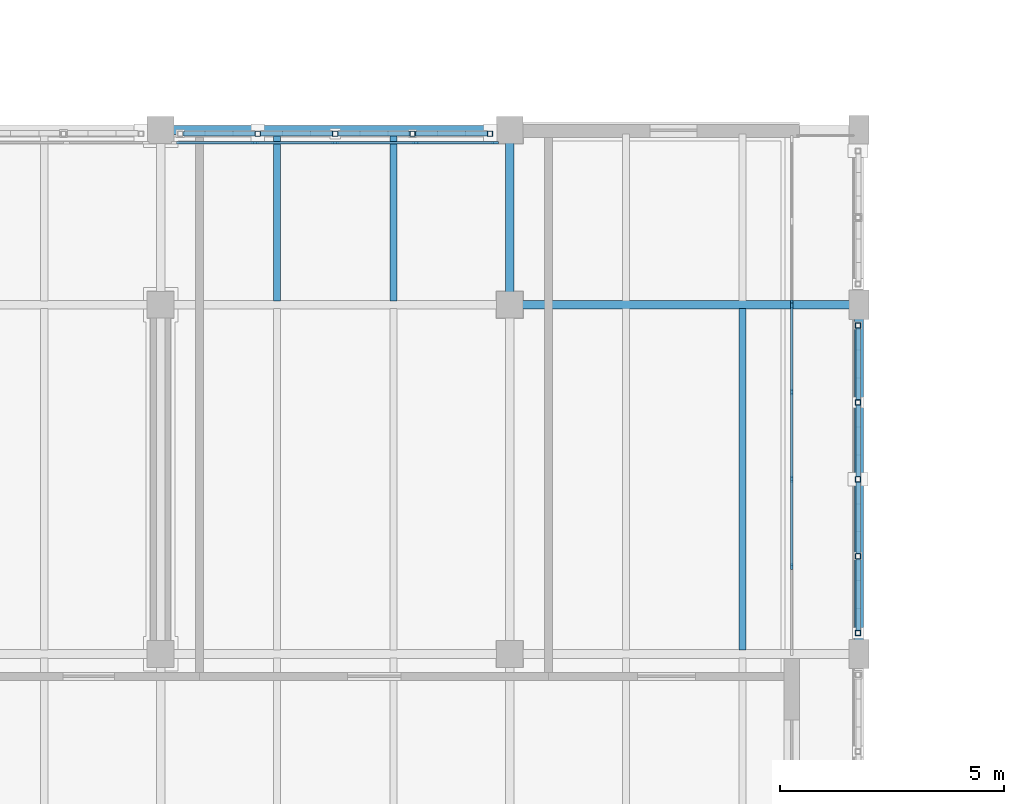
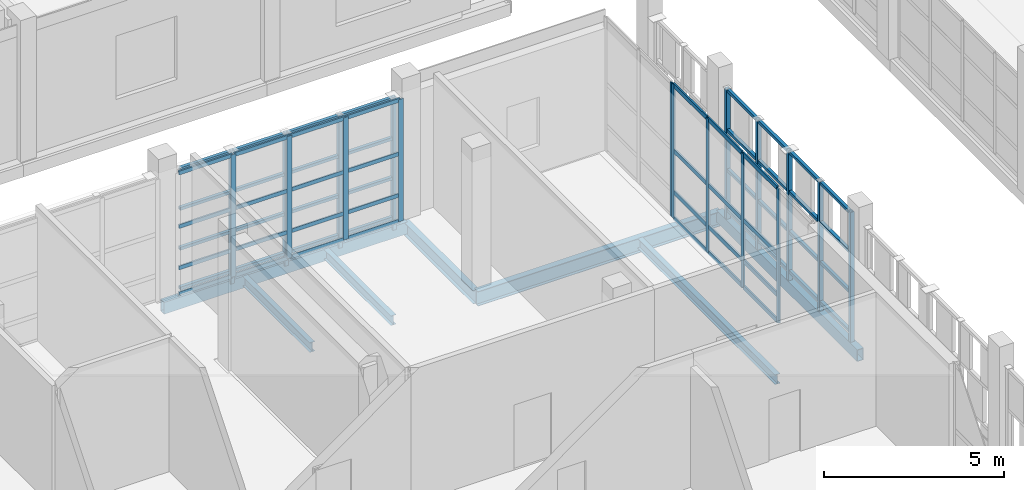
# One storey, part 27 of 138: 78 members, 7 beams, 3 elements without a shape of their own.
"""IFC4 building model written with IfcOpenShell, lengths in metres."""

from ifc_helpers import new_model, si_unit, direction, frame, origin, origin_2d, place, context, subcontext, project, spatial, rectangle, hollow_rectangle, i_section, extrude, material, layer, layer_set, material_profile, profile_set, type_object, element, aggregate, save


model = new_model("IFC4")

# Units and contexts
model_context = context("Model", 3, precision=1e-05, world=origin(), true_north=direction((0.0, 1.0)))
body_context = subcontext(model_context, "Body", "Model", "MODEL_VIEW")
ifc_project = project(units=[si_unit("LENGTHUNIT", "METRE"), si_unit("AREAUNIT", "SQUARE_METRE"), si_unit("VOLUMEUNIT", "CUBIC_METRE"), si_unit("PLANEANGLEUNIT", "RADIAN"), si_unit("MASSUNIT", "GRAM", prefix="KILO")], contexts=[model_context])

# Site, building, storey
site_placement = place(None, origin())
site = spatial("IfcSite", under=ifc_project, at=site_placement, CompositionType="ELEMENT")
building_placement = place(site_placement, origin())
building = spatial("IfcBuilding", under=site, at=building_placement, Name="Celorna Specialist Clinic", CompositionType="ELEMENT")
storey_placement = place(building_placement, frame((0.0, 0.0, 4.800048828125)))
storey = spatial("IfcBuildingStorey", under=building, at=storey_placement, Name="L01", CompositionType="ELEMENT", Elevation=4.800048828125)

# Beams
ifc_material_1 = material(Name="Steel S355", Category="steel")
ifc_material_profile_1 = material_profile(ifc_material_1, i_section(OverallWidth=0.199951171875, OverallDepth=0.5, WebThickness=0.01025390625, FlangeThickness=0.01611328125, at=origin_2d()), Name="IPE 500")
ifc_profile_set_1 = profile_set([ifc_material_profile_1], Name="Steel S355")
beam_type_1 = type_object("IfcBeamType", Name="BM-08", PredefinedType="BEAM", material=ifc_profile_set_1)
beam_1_placement = place(storey_placement, frame((39.0, 23.39990234375, -0.510009765625), z_axis=(1.0, 0.0, 0.0), x_axis=(0.0, 1.0, 0.0)))
element("IfcBeam", 1, at=beam_1_placement, inside=storey, type_object=beam_type_1, Name="Primary girder BM-08 #1611", PredefinedType="BEAM", context=body_context, shape_type="SweptSolid", body=[
    extrude(i_section(OverallWidth=0.199951171875, OverallDepth=0.5, WebThickness=0.01025390625, FlangeThickness=0.01611328125, at=origin_2d()), origin(), (0.0, 0.0, 1.0), 7.800048828125),
])
ifc_material_profile_2 = material_profile(ifc_material_1, i_section(OverallWidth=0.18994140625, OverallDepth=0.449951171875, WebThickness=0.009521484375, FlangeThickness=0.0146484375, at=origin_2d()), Name="IPE 450")
ifc_profile_set_2 = profile_set([ifc_material_profile_2], Name="Steel S355")
beam_type_2 = type_object("IfcBeamType", Name="BM-09", PredefinedType="BEAM", material=ifc_profile_set_2)
beam_2_placement = place(storey_placement, frame((39.0, 23.39990234375, -0.485107421875), z_axis=(0.0, 1.0, 0.0), x_axis=(-1.0, 0.0, 0.0)))
element("IfcBeam", 2, at=beam_2_placement, inside=storey, type_object=beam_type_2, Name="Transverse girder BM-09 #1647", PredefinedType="BEAM", context=body_context, shape_type="SweptSolid", body=[
    extrude(i_section(OverallWidth=0.18994140625, OverallDepth=0.449951171875, WebThickness=0.009521484375, FlangeThickness=0.0146484375, at=origin_2d()), origin(), (0.0, 0.0, 1.0), 3.900146484375),
])
ifc_material_profile_3 = material_profile(ifc_material_1, i_section(OverallWidth=0.159912109375, OverallDepth=0.330078125, WebThickness=0.007568359375, FlangeThickness=0.011474609375, at=origin_2d()), Name="IPE 330")
ifc_profile_set_3 = profile_set([ifc_material_profile_3], Name="Steel S355")
beam_type_3 = type_object("IfcBeamType", Name="BM-12", PredefinedType="JOIST", material=ifc_profile_set_3)
for number, where, z_axis, x_axis, name in (
    (3, (33.800048828125, 23.488037109375, -0.425048828125), (0.0, 1.0, 0.0), (-1.0, 0.0, 0.0), "Secondary floor joist BM-12 #1692"),
    (4, (36.39990234375, 23.488037109375, -0.425048828125), (0.0, 1.0, 0.0), (-1.0, 0.0, 0.0), "Secondary floor joist BM-12 #1693"),
):
    element("IfcBeam", number, at=place(storey_placement, frame(where, z_axis=z_axis, x_axis=x_axis)), inside=storey, type_object=beam_type_3, Name=name, PredefinedType="JOIST", context=body_context, shape_type="SweptSolid", body=[
        extrude(i_section(OverallWidth=0.159912109375, OverallDepth=0.330078125, WebThickness=0.007568359375, FlangeThickness=0.011474609375, at=origin_2d()), origin(), (0.0, 0.0, 1.0), 3.723876953125),
    ])
beam_3_placement = place(storey_placement, frame((44.199951171875, 15.68798828125, -0.425048828125), z_axis=(0.0, 1.0, 0.0), x_axis=(-1.0, 0.0, 0.0)))
element("IfcBeam", 5, at=beam_3_placement, inside=storey, type_object=beam_type_3, Name="Secondary floor joist BM-12 #1701", PredefinedType="JOIST", context=body_context, shape_type="SweptSolid", body=[
    extrude(i_section(OverallWidth=0.159912109375, OverallDepth=0.330078125, WebThickness=0.007568359375, FlangeThickness=0.011474609375, at=origin_2d()), origin(), (0.0, 0.0, 1.0), 7.6240234375),
])
ifc_material_profile_4 = material_profile(ifc_material_1, hollow_rectangle(XDim=0.199951171875, YDim=0.39990234375, WallThickness=0.011962890625, at=origin_2d()), Name="RHS 200x400x12")
ifc_profile_set_4 = profile_set([ifc_material_profile_4], Name="Steel S355")
beam_type_4 = type_object("IfcBeamType", Name="BM-15", PredefinedType="SPANDREL", material=ifc_profile_set_4)
beam_4_placement = place(storey_placement, frame((31.199951171875, 27.300048828125, -0.4599609375), z_axis=(1.0, 0.0, 0.0), x_axis=(0.0, 1.0, 0.0)))
element("IfcBeam", 6, at=beam_4_placement, inside=storey, type_object=beam_type_4, Name="Spandrel beam BM-15 #1616", PredefinedType="SPANDREL", context=body_context, shape_type="SweptSolid", body=[
    extrude(hollow_rectangle(XDim=0.199951171875, YDim=0.39990234375, WallThickness=0.011962890625, at=origin_2d()), origin(), (0.0, 0.0, 1.0), 7.800048828125),
])
beam_5_placement = place(storey_placement, frame((46.800048828125, 15.60009765625, -0.4599609375), z_axis=(0.0, 1.0, 0.0), x_axis=(-1.0, 0.0, 0.0)))
element("IfcBeam", 7, at=beam_5_placement, inside=storey, type_object=beam_type_4, Name="Spandrel beam BM-15 #1651", PredefinedType="SPANDREL", context=body_context, shape_type="SweptSolid", body=[
    extrude(hollow_rectangle(XDim=0.199951171875, YDim=0.39990234375, WallThickness=0.011962890625, at=origin_2d()), origin(), (0.0, 0.0, 1.0), 7.7998046875),
])

# Members
ifc_material_profile_5 = material_profile(ifc_material_1, hollow_rectangle(XDim=0.1201171875, YDim=0.1201171875, WallThickness=0.008056640625, at=origin_2d()), Name="SHS 120x120x8")
ifc_profile_set_5 = profile_set([ifc_material_profile_5], Name="Steel S355")
member_type_1 = type_object("IfcMemberType", Name="MB-11", PredefinedType="STUD", material=ifc_profile_set_5)
for number, where, z_axis, x_axis, name in (
    (8, (46.780029296875, 16.06494140625, -0.360107421875), (0.0, 0.0, 1.0), (1.0, 0.0, 0.0), "Perforated screen steel post #1640"),
    (9, (46.780029296875, 17.782470703125, -0.360107421875), (0.0, 0.0, 1.0), (1.0, 0.0, 0.0), "Perforated screen steel post #1641"),
    (10, (46.780029296875, 19.5, -0.360107421875), (0.0, 0.0, 1.0), (1.0, 0.0, 0.0), "Perforated screen steel post #1642"),
    (11, (46.780029296875, 21.217529296875, -0.360107421875), (0.0, 0.0, 1.0), (1.0, 0.0, 0.0), "Perforated screen steel post #1643"),
    (12, (46.780029296875, 22.93505859375, -0.360107421875), (0.0, 0.0, 1.0), (1.0, 0.0, 0.0), "Perforated screen steel post #1644"),
    (13, (33.3701171875, 27.219970703125, -0.360107421875), (0.0, 0.0, 1.0), (1.0, 0.0, 0.0), "Perforated screen steel post #1753"),
    (14, (35.10009765625, 27.219970703125, -0.360107421875), (0.0, 0.0, 1.0), (1.0, 0.0, 0.0), "Perforated screen steel post #1754"),
    (15, (36.830078125, 27.219970703125, -0.360107421875), (0.0, 0.0, 1.0), (1.0, 0.0, 0.0), "Perforated screen steel post #1755"),
    (16, (38.56005859375, 27.219970703125, -0.360107421875), (0.0, 0.0, 1.0), (1.0, 0.0, 0.0), "Perforated screen steel post #1756"),
):
    element("IfcMember", number, at=place(storey_placement, frame(where, z_axis=z_axis, x_axis=x_axis)), inside=storey, type_object=member_type_1, Name=name, PredefinedType="STUD", context=body_context, shape_type="SweptSolid", body=[
        extrude(hollow_rectangle(XDim=0.1201171875, YDim=0.1201171875, WallThickness=0.008056640625, at=origin_2d()), origin(), (0.0, 0.0, 1.0), 4.5),
    ])
ifc_material_profile_6 = material_profile(ifc_material_1, hollow_rectangle(XDim=0.10009765625, YDim=0.10009765625, WallThickness=0.006103515625, at=origin_2d()), Name="SHS 100x100x6")
ifc_profile_set_6 = profile_set([ifc_material_profile_6], Name="Steel S355")
member_type_2 = type_object("IfcMemberType", Name="MB-12", PredefinedType="STUD", material=ifc_profile_set_6)
for number, where, z_axis, x_axis, name in (
    (17, (46.780029296875, 16.125, 0.050048828125), (0.0, 1.0, 0.0), (-1.0, 0.0, 0.0), "Perforated screen rail #1645"),
    (18, (46.780029296875, 16.125, 1.396728515625), (0.0, 1.0, 0.0), (-1.0, 0.0, 0.0), "Perforated screen rail #1646"),
    (19, (46.780029296875, 16.125, 2.7431640625), (0.0, 1.0, 0.0), (-1.0, 0.0, 0.0), "Perforated screen rail #1647"),
    (20, (46.780029296875, 16.125, 4.08984375), (0.0, 1.0, 0.0), (-1.0, 0.0, 0.0), "Perforated screen rail #1648"),
    (21, (46.780029296875, 17.842529296875, 0.050048828125), (0.0, 1.0, 0.0), (-1.0, 0.0, 0.0), "Perforated screen rail #1649"),
    (22, (46.780029296875, 17.842529296875, 1.396728515625), (0.0, 1.0, 0.0), (-1.0, 0.0, 0.0), "Perforated screen rail #1650"),
    (23, (46.780029296875, 17.842529296875, 2.7431640625), (0.0, 1.0, 0.0), (-1.0, 0.0, 0.0), "Perforated screen rail #1651"),
    (24, (46.780029296875, 17.842529296875, 4.08984375), (0.0, 1.0, 0.0), (-1.0, 0.0, 0.0), "Perforated screen rail #1652"),
    (25, (46.780029296875, 19.56005859375, 0.050048828125), (0.0, 1.0, 0.0), (-1.0, 0.0, 0.0), "Perforated screen rail #1653"),
    (26, (46.780029296875, 19.56005859375, 1.396728515625), (0.0, 1.0, 0.0), (-1.0, 0.0, 0.0), "Perforated screen rail #1654"),
    (27, (46.780029296875, 19.56005859375, 2.7431640625), (0.0, 1.0, 0.0), (-1.0, 0.0, 0.0), "Perforated screen rail #1655"),
    (28, (46.780029296875, 19.56005859375, 4.08984375), (0.0, 1.0, 0.0), (-1.0, 0.0, 0.0), "Perforated screen rail #1656"),
    (29, (46.780029296875, 21.277587890625, 0.050048828125), (0.0, 1.0, 0.0), (-1.0, 0.0, 0.0), "Perforated screen rail #1657"),
    (30, (46.780029296875, 21.277587890625, 1.396728515625), (0.0, 1.0, 0.0), (-1.0, 0.0, 0.0), "Perforated screen rail #1658"),
    (31, (46.780029296875, 21.277587890625, 2.7431640625), (0.0, 1.0, 0.0), (-1.0, 0.0, 0.0), "Perforated screen rail #1659"),
    (32, (46.780029296875, 21.277587890625, 4.08984375), (0.0, 1.0, 0.0), (-1.0, 0.0, 0.0), "Perforated screen rail #1660"),
):
    element("IfcMember", number, at=place(storey_placement, frame(where, z_axis=z_axis, x_axis=x_axis)), inside=storey, type_object=member_type_2, Name=name, PredefinedType="STUD", context=body_context, shape_type="SweptSolid", body=[
        extrude(hollow_rectangle(XDim=0.10009765625, YDim=0.10009765625, WallThickness=0.006103515625, at=origin_2d()), origin(), (0.0, 0.0, 1.0), 1.597412109375),
    ])
for number, where, z_axis, x_axis, name in (
    (33, (31.699951171875, 27.219970703125, 0.050048828125), (1.0, 0.0, 0.0), (0.0, 1.0, 0.0), "Perforated screen rail #1757"),
    (34, (31.699951171875, 27.219970703125, 1.396728515625), (1.0, 0.0, 0.0), (0.0, 1.0, 0.0), "Perforated screen rail #1758"),
    (35, (31.699951171875, 27.219970703125, 2.7431640625), (1.0, 0.0, 0.0), (0.0, 1.0, 0.0), "Perforated screen rail #1759"),
    (36, (31.699951171875, 27.219970703125, 4.08984375), (1.0, 0.0, 0.0), (0.0, 1.0, 0.0), "Perforated screen rail #1760"),
    (37, (33.429931640625, 27.219970703125, 0.050048828125), (1.0, 0.0, 0.0), (0.0, 1.0, 0.0), "Perforated screen rail #1761"),
    (38, (33.429931640625, 27.219970703125, 1.396728515625), (1.0, 0.0, 0.0), (0.0, 1.0, 0.0), "Perforated screen rail #1762"),
    (39, (33.429931640625, 27.219970703125, 2.7431640625), (1.0, 0.0, 0.0), (0.0, 1.0, 0.0), "Perforated screen rail #1763"),
    (40, (33.429931640625, 27.219970703125, 4.08984375), (1.0, 0.0, 0.0), (0.0, 1.0, 0.0), "Perforated screen rail #1764"),
    (41, (35.159912109375, 27.219970703125, 0.050048828125), (1.0, 0.0, 0.0), (0.0, 1.0, 0.0), "Perforated screen rail #1765"),
    (42, (35.159912109375, 27.219970703125, 1.396728515625), (1.0, 0.0, 0.0), (0.0, 1.0, 0.0), "Perforated screen rail #1766"),
    (43, (35.159912109375, 27.219970703125, 2.7431640625), (1.0, 0.0, 0.0), (0.0, 1.0, 0.0), "Perforated screen rail #1767"),
    (44, (35.159912109375, 27.219970703125, 4.08984375), (1.0, 0.0, 0.0), (0.0, 1.0, 0.0), "Perforated screen rail #1768"),
    (45, (36.889892578125, 27.219970703125, 0.050048828125), (1.0, 0.0, 0.0), (0.0, 1.0, 0.0), "Perforated screen rail #1769"),
    (46, (36.889892578125, 27.219970703125, 1.396728515625), (1.0, 0.0, 0.0), (0.0, 1.0, 0.0), "Perforated screen rail #1770"),
    (47, (36.889892578125, 27.219970703125, 2.7431640625), (1.0, 0.0, 0.0), (0.0, 1.0, 0.0), "Perforated screen rail #1771"),
    (48, (36.889892578125, 27.219970703125, 4.08984375), (1.0, 0.0, 0.0), (0.0, 1.0, 0.0), "Perforated screen rail #1772"),
):
    element("IfcMember", number, at=place(storey_placement, frame(where, z_axis=z_axis, x_axis=x_axis)), inside=storey, type_object=member_type_2, Name=name, PredefinedType="STUD", context=body_context, shape_type="SweptSolid", body=[
        extrude(hollow_rectangle(XDim=0.10009765625, YDim=0.10009765625, WallThickness=0.006103515625, at=origin_2d()), origin(), (0.0, 0.0, 1.0), 1.610107421875),
    ])

# Curtain wall, members
ifc_material_2 = material(Name="Thermally broken aluminium and solar-control glass curtain wall", Category="aluminium")
ifc_layer_1 = layer(ifc_material_2, 0.159912109375, Name="Thermally broken aluminium and solar-control glass curtain wall")
ifc_layer_set_1 = layer_set([ifc_layer_1], Name="Thermally broken aluminium and solar-control glass curtain wall")
curtain_wall_type_1 = type_object("IfcCurtainWallType", Name="CW-16", PredefinedType="NOTDEFINED", material=ifc_layer_set_1)
curtain_wall_1_placement = place(storey_placement, origin())
curtain_wall_1 = element("IfcCurtainWall", 49, at=curtain_wall_1_placement, inside=storey, type_object=curtain_wall_type_1, Name="Curtain wall CW-16 #156", PredefinedType="NOTDEFINED")
ifc_material_3 = material(Name="Anodized aluminium mullion", Category="aluminium")
ifc_material_profile_7 = material_profile(ifc_material_3, rectangle(XDim=0.050048828125, YDim=0.159912109375, at=origin_2d()), Name="ALU MULLION 50x160")
ifc_profile_set_7 = profile_set([ifc_material_profile_7], Name="Anodized aluminium mullion")
member_type_3 = type_object("IfcMemberType", Name="ML-01", PredefinedType="MULLION", material=ifc_profile_set_7)
member_1_placement = place(storey_placement, frame((33.302001953125, 27.02001953125, 0.0), z_axis=(0.0, 0.0, 1.0), x_axis=(0.0, 1.0, 0.0)))
member_1 = element("IfcMember", 50, at=member_1_placement, type_object=member_type_3, Name="CW-16 mullion 2", PredefinedType="MULLION", context=body_context, shape_type="SweptSolid", body=[
    extrude(rectangle(XDim=0.050048828125, YDim=0.159912109375, at=origin_2d()), origin(), (0.0, 0.0, 1.0), 4.139892578125),
])
member_2_placement = place(storey_placement, frame((35.10009765625, 27.02001953125, 0.0), z_axis=(0.0, 0.0, 1.0), x_axis=(0.0, 1.0, 0.0)))
member_2 = element("IfcMember", 51, at=member_2_placement, type_object=member_type_3, Name="CW-16 mullion 3", PredefinedType="MULLION", context=body_context, shape_type="SweptSolid", body=[
    extrude(rectangle(XDim=0.050048828125, YDim=0.159912109375, at=origin_2d()), origin(), (0.0, 0.0, 1.0), 4.139892578125),
])
member_3_placement = place(storey_placement, frame((36.89794921875, 27.02001953125, 0.0), z_axis=(0.0, 0.0, 1.0), x_axis=(0.0, 1.0, 0.0)))
member_3 = element("IfcMember", 52, at=member_3_placement, type_object=member_type_3, Name="CW-16 mullion 4", PredefinedType="MULLION", context=body_context, shape_type="SweptSolid", body=[
    extrude(rectangle(XDim=0.050048828125, YDim=0.159912109375, at=origin_2d()), origin(), (0.0, 0.0, 1.0), 4.139892578125),
])
member_4_placement = place(storey_placement, frame((38.6708984375, 27.02001953125, 0.0), z_axis=(0.0, 0.0, 1.0), x_axis=(0.0, 1.0, 0.0)))
member_4 = element("IfcMember", 53, at=member_4_placement, type_object=member_type_3, Name="CW-16 mullion 5", PredefinedType="MULLION", context=body_context, shape_type="SweptSolid", body=[
    extrude(rectangle(XDim=0.050048828125, YDim=0.159912109375, at=origin_2d()), origin(), (0.0, 0.0, 1.0), 4.139892578125),
])

# Curtain wall, member
ifc_layer_2 = layer(ifc_material_2, 0.159912109375, Name="Thermally broken aluminium and solar-control glass curtain wall")
ifc_layer_set_2 = layer_set([ifc_layer_2], Name="Thermally broken aluminium and solar-control glass curtain wall")
curtain_wall_type_2 = type_object("IfcCurtainWallType", Name="CW-86", PredefinedType="NOTDEFINED", material=ifc_layer_set_2)
curtain_wall_2_placement = place(storey_placement, origin())
curtain_wall_2 = element("IfcCurtainWall", 54, at=curtain_wall_2_placement, inside=storey, type_object=curtain_wall_type_2, Name="Curtain wall CW-86 #160", PredefinedType="NOTDEFINED")
member_5_placement = place(storey_placement, frame((45.300048828125, 23.428955078125, 0.0), z_axis=(0.0, 0.0, 1.0), x_axis=(1.0, 0.0, 0.0)))
member_5 = element("IfcMember", 55, at=member_5_placement, type_object=member_type_3, Name="CW-86 mullion 3", PredefinedType="MULLION", context=body_context, shape_type="SweptSolid", body=[
    extrude(rectangle(XDim=0.050048828125, YDim=0.159912109375, at=origin_2d()), origin(), (0.0, 0.0, 1.0), 4.5400390625),
])
aggregate(curtain_wall_2, [member_5])

# Curtain wall, members
ifc_layer_3 = layer(ifc_material_2, 0.159912109375, Name="Thermally broken aluminium and solar-control glass curtain wall")
ifc_layer_set_3 = layer_set([ifc_layer_3], Name="Thermally broken aluminium and solar-control glass curtain wall")
curtain_wall_type_3 = type_object("IfcCurtainWallType", Name="CW-85", PredefinedType="NOTDEFINED", material=ifc_layer_set_3)
curtain_wall_3_placement = place(storey_placement, origin())
curtain_wall_3 = element("IfcCurtainWall", 56, at=curtain_wall_3_placement, inside=storey, type_object=curtain_wall_type_3, Name="Curtain wall CW-85 #159", PredefinedType="NOTDEFINED")
ifc_material_profile_8 = material_profile(ifc_material_3, rectangle(XDim=0.050048828125, YDim=0.139892578125, at=origin_2d()), Name="ALU MULLION 50x140")
ifc_profile_set_8 = profile_set([ifc_material_profile_8], Name="Anodized aluminium mullion")
member_type_4 = type_object("IfcMemberType", Name="ML-03", PredefinedType="MULLION", material=ifc_profile_set_8)
member_6_placement = place(storey_placement, frame((45.300048828125, 23.37109375, 0.0), z_axis=(0.0, 0.0, 1.0), x_axis=(1.0, 0.0, 0.0)))
member_6 = element("IfcMember", 57, at=member_6_placement, type_object=member_type_4, Name="CW-85 mullion 1", PredefinedType="MULLION", context=body_context, shape_type="SweptSolid", body=[
    extrude(rectangle(XDim=0.050048828125, YDim=0.139892578125, at=origin_2d()), origin(), (0.0, 0.0, 1.0), 4.5400390625),
])
member_7_placement = place(storey_placement, frame((45.300048828125, 21.447998046875, 0.0), z_axis=(0.0, 0.0, 1.0), x_axis=(1.0, 0.0, 0.0)))
member_7 = element("IfcMember", 58, at=member_7_placement, type_object=member_type_4, Name="CW-85 mullion 2", PredefinedType="MULLION", context=body_context, shape_type="SweptSolid", body=[
    extrude(rectangle(XDim=0.050048828125, YDim=0.139892578125, at=origin_2d()), origin(), (0.0, 0.0, 1.0), 4.5400390625),
])
member_8_placement = place(storey_placement, frame((45.300048828125, 19.5, 0.0), z_axis=(0.0, 0.0, 1.0), x_axis=(1.0, 0.0, 0.0)))
member_8 = element("IfcMember", 59, at=member_8_placement, type_object=member_type_4, Name="CW-85 mullion 3", PredefinedType="MULLION", context=body_context, shape_type="SweptSolid", body=[
    extrude(rectangle(XDim=0.050048828125, YDim=0.139892578125, at=origin_2d()), origin(), (0.0, 0.0, 1.0), 4.5400390625),
])
member_9_placement = place(storey_placement, frame((45.300048828125, 17.552001953125, 0.0), z_axis=(0.0, 0.0, 1.0), x_axis=(1.0, 0.0, 0.0)))
member_9 = element("IfcMember", 60, at=member_9_placement, type_object=member_type_4, Name="CW-85 mullion 4", PredefinedType="MULLION", context=body_context, shape_type="SweptSolid", body=[
    extrude(rectangle(XDim=0.050048828125, YDim=0.139892578125, at=origin_2d()), origin(), (0.0, 0.0, 1.0), 4.5400390625),
])

# Member
ifc_material_4 = material(Name="Anodized aluminium transom", Category="aluminium")
ifc_material_profile_9 = material_profile(ifc_material_4, rectangle(XDim=0.050048828125, YDim=0.1298828125, at=origin_2d()), Name="ALU TRANSOM 50x130")
ifc_profile_set_9 = profile_set([ifc_material_profile_9], Name="Anodized aluminium transom")
member_type_5 = type_object("IfcMemberType", Name="TR-01", PredefinedType="USERDEFINED", material=ifc_profile_set_9)
member_10_placement = place(storey_placement, frame((31.553955078125, 27.02001953125, 0.02490234375), z_axis=(1.0, 0.0, 0.0), x_axis=(0.0, 1.0, 0.0)))
member_10 = element("IfcMember", 61, at=member_10_placement, type_object=member_type_5, Name="CW-16 transom 1.1", ObjectType="TRANSOM", PredefinedType="USERDEFINED", context=body_context, shape_type="SweptSolid", body=[
    extrude(rectangle(XDim=0.050048828125, YDim=0.1298828125, at=origin_2d()), origin(), (0.0, 0.0, 1.0), 1.72314453125),
])

member_11_placement = place(storey_placement, frame((31.553955078125, 27.02001953125, 0.89990234375), z_axis=(1.0, 0.0, 0.0), x_axis=(0.0, 1.0, 0.0)))
member_11 = element("IfcMember", 62, at=member_11_placement, type_object=member_type_5, Name="CW-16 transom 1.2", ObjectType="TRANSOM", PredefinedType="USERDEFINED", context=body_context, shape_type="SweptSolid", body=[
    extrude(rectangle(XDim=0.050048828125, YDim=0.1298828125, at=origin_2d()), origin(), (0.0, 0.0, 1.0), 1.72314453125),
])

member_12_placement = place(storey_placement, frame((31.553955078125, 27.02001953125, 2.300048828125), z_axis=(1.0, 0.0, 0.0), x_axis=(0.0, 1.0, 0.0)))
member_12 = element("IfcMember", 63, at=member_12_placement, type_object=member_type_5, Name="CW-16 transom 1.3", ObjectType="TRANSOM", PredefinedType="USERDEFINED", context=body_context, shape_type="SweptSolid", body=[
    extrude(rectangle(XDim=0.050048828125, YDim=0.1298828125, at=origin_2d()), origin(), (0.0, 0.0, 1.0), 1.72314453125),
])

member_13_placement = place(storey_placement, frame((31.553955078125, 27.02001953125, 4.114990234375), z_axis=(1.0, 0.0, 0.0), x_axis=(0.0, 1.0, 0.0)))
member_13 = element("IfcMember", 64, at=member_13_placement, type_object=member_type_5, Name="CW-16 transom 1.4", ObjectType="TRANSOM", PredefinedType="USERDEFINED", context=body_context, shape_type="SweptSolid", body=[
    extrude(rectangle(XDim=0.050048828125, YDim=0.1298828125, at=origin_2d()), origin(), (0.0, 0.0, 1.0), 1.72314453125),
])

member_14_placement = place(storey_placement, frame((33.326904296875, 27.02001953125, 0.02490234375), z_axis=(1.0, 0.0, 0.0), x_axis=(0.0, 1.0, 0.0)))
member_14 = element("IfcMember", 65, at=member_14_placement, type_object=member_type_5, Name="CW-16 transom 2.1", ObjectType="TRANSOM", PredefinedType="USERDEFINED", context=body_context, shape_type="SweptSolid", body=[
    extrude(rectangle(XDim=0.050048828125, YDim=0.1298828125, at=origin_2d()), origin(), (0.0, 0.0, 1.0), 1.748046875),
])

member_15_placement = place(storey_placement, frame((33.326904296875, 27.02001953125, 0.89990234375), z_axis=(1.0, 0.0, 0.0), x_axis=(0.0, 1.0, 0.0)))
member_15 = element("IfcMember", 66, at=member_15_placement, type_object=member_type_5, Name="CW-16 transom 2.2", ObjectType="TRANSOM", PredefinedType="USERDEFINED", context=body_context, shape_type="SweptSolid", body=[
    extrude(rectangle(XDim=0.050048828125, YDim=0.1298828125, at=origin_2d()), origin(), (0.0, 0.0, 1.0), 1.748046875),
])

member_16_placement = place(storey_placement, frame((33.326904296875, 27.02001953125, 2.300048828125), z_axis=(1.0, 0.0, 0.0), x_axis=(0.0, 1.0, 0.0)))
member_16 = element("IfcMember", 67, at=member_16_placement, type_object=member_type_5, Name="CW-16 transom 2.3", ObjectType="TRANSOM", PredefinedType="USERDEFINED", context=body_context, shape_type="SweptSolid", body=[
    extrude(rectangle(XDim=0.050048828125, YDim=0.1298828125, at=origin_2d()), origin(), (0.0, 0.0, 1.0), 1.748046875),
])

member_17_placement = place(storey_placement, frame((33.326904296875, 27.02001953125, 4.114990234375), z_axis=(1.0, 0.0, 0.0), x_axis=(0.0, 1.0, 0.0)))
member_17 = element("IfcMember", 68, at=member_17_placement, type_object=member_type_5, Name="CW-16 transom 2.4", ObjectType="TRANSOM", PredefinedType="USERDEFINED", context=body_context, shape_type="SweptSolid", body=[
    extrude(rectangle(XDim=0.050048828125, YDim=0.1298828125, at=origin_2d()), origin(), (0.0, 0.0, 1.0), 1.748046875),
])

member_18_placement = place(storey_placement, frame((35.125, 27.02001953125, 0.02490234375), z_axis=(1.0, 0.0, 0.0), x_axis=(0.0, 1.0, 0.0)))
member_18 = element("IfcMember", 69, at=member_18_placement, type_object=member_type_5, Name="CW-16 transom 3.1", ObjectType="TRANSOM", PredefinedType="USERDEFINED", context=body_context, shape_type="SweptSolid", body=[
    extrude(rectangle(XDim=0.050048828125, YDim=0.1298828125, at=origin_2d()), origin(), (0.0, 0.0, 1.0), 1.748046875),
])

member_19_placement = place(storey_placement, frame((35.125, 27.02001953125, 0.89990234375), z_axis=(1.0, 0.0, 0.0), x_axis=(0.0, 1.0, 0.0)))
member_19 = element("IfcMember", 70, at=member_19_placement, type_object=member_type_5, Name="CW-16 transom 3.2", ObjectType="TRANSOM", PredefinedType="USERDEFINED", context=body_context, shape_type="SweptSolid", body=[
    extrude(rectangle(XDim=0.050048828125, YDim=0.1298828125, at=origin_2d()), origin(), (0.0, 0.0, 1.0), 1.748046875),
])

member_20_placement = place(storey_placement, frame((35.125, 27.02001953125, 2.300048828125), z_axis=(1.0, 0.0, 0.0), x_axis=(0.0, 1.0, 0.0)))
member_20 = element("IfcMember", 71, at=member_20_placement, type_object=member_type_5, Name="CW-16 transom 3.3", ObjectType="TRANSOM", PredefinedType="USERDEFINED", context=body_context, shape_type="SweptSolid", body=[
    extrude(rectangle(XDim=0.050048828125, YDim=0.1298828125, at=origin_2d()), origin(), (0.0, 0.0, 1.0), 1.748046875),
])

member_21_placement = place(storey_placement, frame((35.125, 27.02001953125, 4.114990234375), z_axis=(1.0, 0.0, 0.0), x_axis=(0.0, 1.0, 0.0)))
member_21 = element("IfcMember", 72, at=member_21_placement, type_object=member_type_5, Name="CW-16 transom 3.4", ObjectType="TRANSOM", PredefinedType="USERDEFINED", context=body_context, shape_type="SweptSolid", body=[
    extrude(rectangle(XDim=0.050048828125, YDim=0.1298828125, at=origin_2d()), origin(), (0.0, 0.0, 1.0), 1.748046875),
])

member_22_placement = place(storey_placement, frame((36.923095703125, 27.02001953125, 0.02490234375), z_axis=(1.0, 0.0, 0.0), x_axis=(0.0, 1.0, 0.0)))
member_22 = element("IfcMember", 73, at=member_22_placement, type_object=member_type_5, Name="CW-16 transom 4.1", ObjectType="TRANSOM", PredefinedType="USERDEFINED", context=body_context, shape_type="SweptSolid", body=[
    extrude(rectangle(XDim=0.050048828125, YDim=0.1298828125, at=origin_2d()), origin(), (0.0, 0.0, 1.0), 1.722900390625),
])

member_23_placement = place(storey_placement, frame((36.923095703125, 27.02001953125, 0.89990234375), z_axis=(1.0, 0.0, 0.0), x_axis=(0.0, 1.0, 0.0)))
member_23 = element("IfcMember", 74, at=member_23_placement, type_object=member_type_5, Name="CW-16 transom 4.2", ObjectType="TRANSOM", PredefinedType="USERDEFINED", context=body_context, shape_type="SweptSolid", body=[
    extrude(rectangle(XDim=0.050048828125, YDim=0.1298828125, at=origin_2d()), origin(), (0.0, 0.0, 1.0), 1.722900390625),
])

member_24_placement = place(storey_placement, frame((36.923095703125, 27.02001953125, 2.300048828125), z_axis=(1.0, 0.0, 0.0), x_axis=(0.0, 1.0, 0.0)))
member_24 = element("IfcMember", 75, at=member_24_placement, type_object=member_type_5, Name="CW-16 transom 4.3", ObjectType="TRANSOM", PredefinedType="USERDEFINED", context=body_context, shape_type="SweptSolid", body=[
    extrude(rectangle(XDim=0.050048828125, YDim=0.1298828125, at=origin_2d()), origin(), (0.0, 0.0, 1.0), 1.722900390625),
])

member_25_placement = place(storey_placement, frame((36.923095703125, 27.02001953125, 4.114990234375), z_axis=(1.0, 0.0, 0.0), x_axis=(0.0, 1.0, 0.0)))
member_25 = element("IfcMember", 76, at=member_25_placement, type_object=member_type_5, Name="CW-16 transom 4.4", ObjectType="TRANSOM", PredefinedType="USERDEFINED", context=body_context, shape_type="SweptSolid", body=[
    extrude(rectangle(XDim=0.050048828125, YDim=0.1298828125, at=origin_2d()), origin(), (0.0, 0.0, 1.0), 1.722900390625),
])

aggregate(curtain_wall_1, [member_1, member_2, member_3, member_4, member_10, member_11, member_12, member_13, member_14, member_15, member_16, member_17, member_18, member_19, member_20, member_21, member_22, member_23, member_24, member_25])

ifc_material_profile_10 = material_profile(ifc_material_4, rectangle(XDim=0.050048828125, YDim=0.14990234375, at=origin_2d()), Name="ALU TRANSOM 50x150")
ifc_profile_set_10 = profile_set([ifc_material_profile_10], Name="Anodized aluminium transom")
member_type_6 = type_object("IfcMemberType", Name="TR-02", PredefinedType="USERDEFINED", material=ifc_profile_set_10)
member_26_placement = place(storey_placement, frame((45.300048828125, 23.345947265625, 0.02490234375), z_axis=(0.0, -1.0, 0.0), x_axis=(1.0, 0.0, 0.0)))
member_26 = element("IfcMember", 77, at=member_26_placement, type_object=member_type_6, Name="CW-85 transom 1.1", ObjectType="TRANSOM", PredefinedType="USERDEFINED", context=body_context, shape_type="SweptSolid", body=[
    extrude(rectangle(XDim=0.050048828125, YDim=0.14990234375, at=origin_2d()), origin(), (0.0, 0.0, 1.0), 1.873046875),
])

member_27_placement = place(storey_placement, frame((45.300048828125, 23.345947265625, 0.89990234375), z_axis=(0.0, -1.0, 0.0), x_axis=(1.0, 0.0, 0.0)))
member_27 = element("IfcMember", 78, at=member_27_placement, type_object=member_type_6, Name="CW-85 transom 1.2", ObjectType="TRANSOM", PredefinedType="USERDEFINED", context=body_context, shape_type="SweptSolid", body=[
    extrude(rectangle(XDim=0.050048828125, YDim=0.14990234375, at=origin_2d()), origin(), (0.0, 0.0, 1.0), 1.873046875),
])

member_28_placement = place(storey_placement, frame((45.300048828125, 23.345947265625, 2.300048828125), z_axis=(0.0, -1.0, 0.0), x_axis=(1.0, 0.0, 0.0)))
member_28 = element("IfcMember", 79, at=member_28_placement, type_object=member_type_6, Name="CW-85 transom 1.3", ObjectType="TRANSOM", PredefinedType="USERDEFINED", context=body_context, shape_type="SweptSolid", body=[
    extrude(rectangle(XDim=0.050048828125, YDim=0.14990234375, at=origin_2d()), origin(), (0.0, 0.0, 1.0), 1.873046875),
])

member_29_placement = place(storey_placement, frame((45.300048828125, 23.345947265625, 4.514892578125), z_axis=(0.0, -1.0, 0.0), x_axis=(1.0, 0.0, 0.0)))
member_29 = element("IfcMember", 80, at=member_29_placement, type_object=member_type_6, Name="CW-85 transom 1.4", ObjectType="TRANSOM", PredefinedType="USERDEFINED", context=body_context, shape_type="SweptSolid", body=[
    extrude(rectangle(XDim=0.050048828125, YDim=0.14990234375, at=origin_2d()), origin(), (0.0, 0.0, 1.0), 1.873046875),
])

member_30_placement = place(storey_placement, frame((45.300048828125, 21.423095703125, 0.02490234375), z_axis=(0.0, -1.0, 0.0), x_axis=(1.0, 0.0, 0.0)))
member_30 = element("IfcMember", 81, at=member_30_placement, type_object=member_type_6, Name="CW-85 transom 2.1", ObjectType="TRANSOM", PredefinedType="USERDEFINED", context=body_context, shape_type="SweptSolid", body=[
    extrude(rectangle(XDim=0.050048828125, YDim=0.14990234375, at=origin_2d()), origin(), (0.0, 0.0, 1.0), 1.898193359375),
])

member_31_placement = place(storey_placement, frame((45.300048828125, 21.423095703125, 0.89990234375), z_axis=(0.0, -1.0, 0.0), x_axis=(1.0, 0.0, 0.0)))
member_31 = element("IfcMember", 82, at=member_31_placement, type_object=member_type_6, Name="CW-85 transom 2.2", ObjectType="TRANSOM", PredefinedType="USERDEFINED", context=body_context, shape_type="SweptSolid", body=[
    extrude(rectangle(XDim=0.050048828125, YDim=0.14990234375, at=origin_2d()), origin(), (0.0, 0.0, 1.0), 1.898193359375),
])

member_32_placement = place(storey_placement, frame((45.300048828125, 21.423095703125, 2.300048828125), z_axis=(0.0, -1.0, 0.0), x_axis=(1.0, 0.0, 0.0)))
member_32 = element("IfcMember", 83, at=member_32_placement, type_object=member_type_6, Name="CW-85 transom 2.3", ObjectType="TRANSOM", PredefinedType="USERDEFINED", context=body_context, shape_type="SweptSolid", body=[
    extrude(rectangle(XDim=0.050048828125, YDim=0.14990234375, at=origin_2d()), origin(), (0.0, 0.0, 1.0), 1.898193359375),
])

member_33_placement = place(storey_placement, frame((45.300048828125, 21.423095703125, 4.514892578125), z_axis=(0.0, -1.0, 0.0), x_axis=(1.0, 0.0, 0.0)))
member_33 = element("IfcMember", 84, at=member_33_placement, type_object=member_type_6, Name="CW-85 transom 2.4", ObjectType="TRANSOM", PredefinedType="USERDEFINED", context=body_context, shape_type="SweptSolid", body=[
    extrude(rectangle(XDim=0.050048828125, YDim=0.14990234375, at=origin_2d()), origin(), (0.0, 0.0, 1.0), 1.898193359375),
])

member_34_placement = place(storey_placement, frame((45.300048828125, 19.47509765625, 0.02490234375), z_axis=(0.0, -1.0, 0.0), x_axis=(1.0, 0.0, 0.0)))
member_34 = element("IfcMember", 85, at=member_34_placement, type_object=member_type_6, Name="CW-85 transom 3.1", ObjectType="TRANSOM", PredefinedType="USERDEFINED", context=body_context, shape_type="SweptSolid", body=[
    extrude(rectangle(XDim=0.050048828125, YDim=0.14990234375, at=origin_2d()), origin(), (0.0, 0.0, 1.0), 1.898193359375),
])

member_35_placement = place(storey_placement, frame((45.300048828125, 19.47509765625, 0.89990234375), z_axis=(0.0, -1.0, 0.0), x_axis=(1.0, 0.0, 0.0)))
member_35 = element("IfcMember", 86, at=member_35_placement, type_object=member_type_6, Name="CW-85 transom 3.2", ObjectType="TRANSOM", PredefinedType="USERDEFINED", context=body_context, shape_type="SweptSolid", body=[
    extrude(rectangle(XDim=0.050048828125, YDim=0.14990234375, at=origin_2d()), origin(), (0.0, 0.0, 1.0), 1.898193359375),
])

member_36_placement = place(storey_placement, frame((45.300048828125, 19.47509765625, 2.300048828125), z_axis=(0.0, -1.0, 0.0), x_axis=(1.0, 0.0, 0.0)))
member_36 = element("IfcMember", 87, at=member_36_placement, type_object=member_type_6, Name="CW-85 transom 3.3", ObjectType="TRANSOM", PredefinedType="USERDEFINED", context=body_context, shape_type="SweptSolid", body=[
    extrude(rectangle(XDim=0.050048828125, YDim=0.14990234375, at=origin_2d()), origin(), (0.0, 0.0, 1.0), 1.898193359375),
])

member_37_placement = place(storey_placement, frame((45.300048828125, 19.47509765625, 4.514892578125), z_axis=(0.0, -1.0, 0.0), x_axis=(1.0, 0.0, 0.0)))
member_37 = element("IfcMember", 88, at=member_37_placement, type_object=member_type_6, Name="CW-85 transom 3.4", ObjectType="TRANSOM", PredefinedType="USERDEFINED", context=body_context, shape_type="SweptSolid", body=[
    extrude(rectangle(XDim=0.050048828125, YDim=0.14990234375, at=origin_2d()), origin(), (0.0, 0.0, 1.0), 1.898193359375),
])

aggregate(curtain_wall_3, [member_6, member_7, member_8, member_9, member_26, member_27, member_28, member_29, member_30, member_31, member_32, member_33, member_34, member_35, member_36, member_37])

save(model, "model.ifc")
